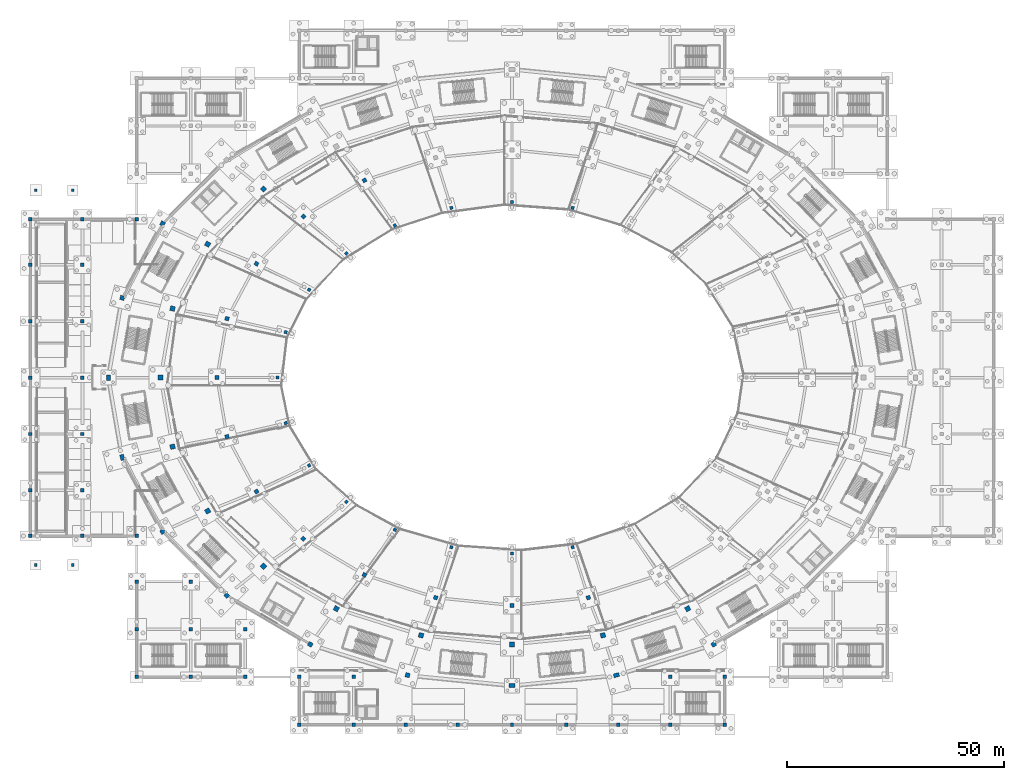
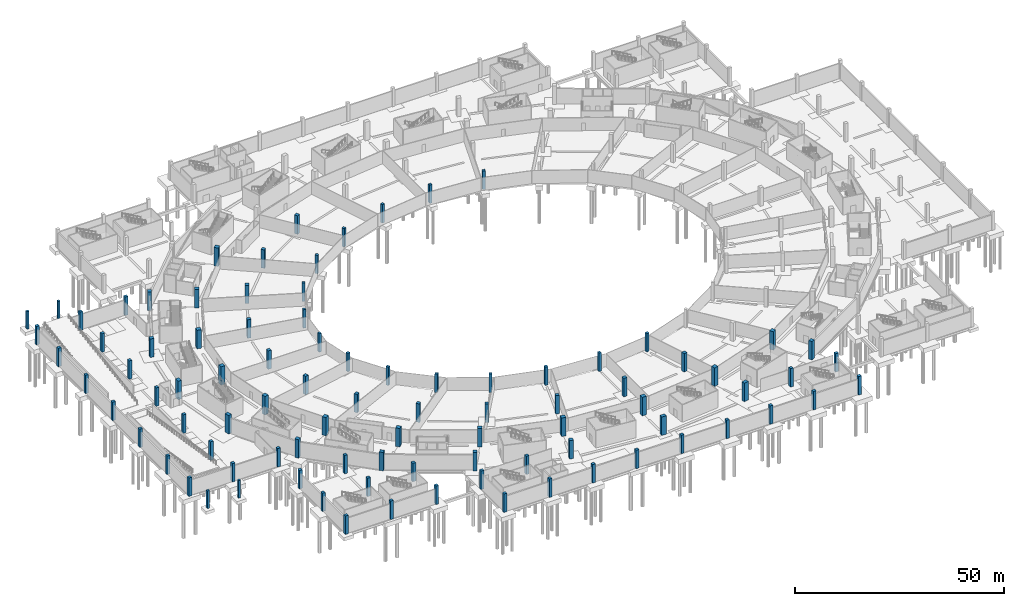
# One storey, part 12 of 74: 91 columns.
"""IFC4 building model written with IfcOpenShell, lengths in metres."""

from ifc_helpers import new_model, si_unit, direction, frame, origin, origin_2d, place, context, subcontext, project, spatial, rectangle, extrude, material, material_profile, profile_set, type_object, element, save


model = new_model("IFC4")

# Units and contexts
model_context = context("Model", 3, precision=1e-05, world=origin(), true_north=direction((0.0, 1.0)))
body_context = subcontext(model_context, "Body", "Model", "MODEL_VIEW")
ifc_project = project(units=[si_unit("LENGTHUNIT", "METRE"), si_unit("AREAUNIT", "SQUARE_METRE"), si_unit("VOLUMEUNIT", "CUBIC_METRE"), si_unit("PLANEANGLEUNIT", "RADIAN"), si_unit("MASSUNIT", "GRAM", prefix="KILO")], contexts=[model_context])

# Site, building, storey
site_placement = place(None, origin())
site = spatial("IfcSite", under=ifc_project, at=site_placement, CompositionType="ELEMENT")
building_placement = place(site_placement, origin())
building = spatial("IfcBuilding", under=site, at=building_placement, Name="Zlatoyarsky Gate Stadium", CompositionType="ELEMENT")
storey_placement = place(building_placement, frame((0.0, 0.0, -5.39990234375)))
storey = spatial("IfcBuildingStorey", under=building, at=storey_placement, Name="B1", CompositionType="ELEMENT", Elevation=-5.39990234375)

# Columns
ifc_material = material(Name="Concrete C40/50", Category="concrete")
ifc_material_profile_1 = material_profile(ifc_material, rectangle(XDim=0.89990234375, YDim=1.300048828125, at=origin_2d()), Name="RC PIER 900X1300")
ifc_profile_set_1 = profile_set([ifc_material_profile_1], Name="Concrete C40/50")
column_type_1 = type_object("IfcColumnType", Name="CONCRETE BOWL PIER 900X1300", PredefinedType="COLUMN", material=ifc_profile_set_1)
for number, where, z_axis, x_axis, name in (
    (1, (18.0, 80.0, 0.0), (0.0, 0.0, 1.0), (-1.0, 0.0, 0.0), "Column RC-P130 RC-12 on B1"),
    (2, (21.1689453125, 61.623779296875, 0.0), (0.0, 0.0, 1.0), (-0.965925826289, -0.258819045103, 0.0), "Column RC-P130 RC-13 on B1"),
    (3, (111.0, 9.0, 0.0), (0.0, 0.0, 1.0), (0.0, -1.0, 0.0), "Column RC-P130 RC-18 on B1"),
    (4, (135.0703125, 11.419189453125, 0.0), (0.0, 0.0, 1.0), (0.258819045103, -0.965925826289, 0.0), "Column RC-P130 RC-19 on B1"),
):
    element("IfcColumn", number, at=place(storey_placement, frame(where, z_axis=z_axis, x_axis=x_axis)), inside=storey, type_object=column_type_1, Name=name, PredefinedType="COLUMN", context=body_context, shape_type="SweptSolid", body=[
        extrude(rectangle(XDim=0.89990234375, YDim=1.300048828125, at=origin_2d()), origin(), (0.0, 0.0, 1.0), 5.39990234375),
    ])
ifc_material_profile_2 = material_profile(ifc_material, rectangle(XDim=1.0, YDim=1.0, at=origin_2d()), Name="RC COL 1000X1000")
ifc_profile_set_2 = profile_set([ifc_material_profile_2], Name="Concrete C40/50")
column_type_2 = type_object("IfcColumnType", Name="CONCRETE COLUMN 1000X1000", PredefinedType="COLUMN", material=ifc_profile_set_2)
for number, where, z_axis, x_axis, name in (
    (5, (30.459716796875, 115.5, 0.0), (0.0, 0.0, 1.0), (-0.866025403784, 0.5, 0.0), "Column RC-C100 RC-10 on B1"),
    (6, (21.1689453125, 98.376220703125, 0.0), (0.0, 0.0, 1.0), (-0.965925826289, 0.258819045103, 0.0), "Column RC-C100 RC-11 on B1"),
    (7, (30.459716796875, 44.5, 0.0), (0.0, 0.0, 1.0), (-0.866025403784, -0.5, 0.0), "Column RC-C100 RC-14 on B1"),
    (8, (45.239013671875, 29.79541015625, 0.0), (0.0, 0.0, 1.0), (-0.707106781187, -0.707106781187, 0.0), "Column RC-C100 RC-15 on B1"),
    (9, (64.5, 18.51220703125, 0.0), (0.0, 0.0, 1.0), (-0.5, -0.866025403784, 0.0), "Column RC-C100 RC-16 on B1"),
    (10, (86.9296875, 11.419189453125, 0.0), (0.0, 0.0, 1.0), (-0.258819045103, -0.965925826289, 0.0), "Column RC-C100 RC-17 on B1"),
    (11, (157.5, 18.51220703125, 0.0), (0.0, 0.0, 1.0), (0.5, -0.866025403784, 0.0), "Column RC-C100 RC-20 on B1"),
):
    element("IfcColumn", number, at=place(storey_placement, frame(where, z_axis=z_axis, x_axis=x_axis)), inside=storey, type_object=column_type_2, Name=name, PredefinedType="COLUMN", context=body_context, shape_type="SweptSolid", body=[
        extrude(rectangle(XDim=1.0, YDim=1.0, at=origin_2d()), origin(), (0.0, 0.0, 1.0), 5.39990234375),
    ])
ifc_material_profile_3 = material_profile(ifc_material, rectangle(XDim=1.10009765625, YDim=1.10009765625, at=origin_2d()), Name="RC COL 1100X1100")
ifc_profile_set_3 = profile_set([ifc_material_profile_3], Name="Concrete C40/50")
column_type_3 = type_object("IfcColumnType", Name="CONCRETE COLUMN 1100X1100", PredefinedType="COLUMN", material=ifc_profile_set_3)
for number, where, z_axis, x_axis, name in (
    (12, (53.724365234375, 123.487060546875, 0.0), (0.0, 0.0, 1.0), (-0.707106781187, 0.707106781187, 0.0), "Column RC-C110 RB-09 on B1"),
    (13, (40.851806640625, 110.75, 0.0), (0.0, 0.0, 1.0), (-0.866025403784, 0.5, 0.0), "Column RC-C110 RB-10 on B1"),
    (14, (32.760009765625, 95.91748046875, 0.0), (0.0, 0.0, 1.0), (-0.965925826289, 0.258819045103, 0.0), "Column RC-C110 RB-11 on B1"),
    (15, (30.0, 80.0, 0.0), (0.0, 0.0, 1.0), (-1.0, 0.0, 0.0), "Column RC-C110 RB-12 on B1"),
    (16, (32.760009765625, 64.08251953125, 0.0), (0.0, 0.0, 1.0), (-0.965925826289, -0.258819045103, 0.0), "Column RC-C110 RB-13 on B1"),
    (17, (40.851806640625, 49.25, 0.0), (0.0, 0.0, 1.0), (-0.866025403784, -0.5, 0.0), "Column RC-C110 RB-14 on B1"),
    (18, (53.724365234375, 36.512939453125, 0.0), (0.0, 0.0, 1.0), (-0.707106781187, -0.707106781187, 0.0), "Column RC-C110 RB-15 on B1"),
    (19, (70.5, 26.739501953125, 0.0), (0.0, 0.0, 1.0), (-0.5, -0.866025403784, 0.0), "Column RC-C110 RB-16 on B1"),
    (20, (90.03564453125, 20.595703125, 0.0), (0.0, 0.0, 1.0), (-0.258819045103, -0.965925826289, 0.0), "Column RC-C110 RB-17 on B1"),
    (21, (111.0, 18.5, 0.0), (0.0, 0.0, 1.0), (0.0, -1.0, 0.0), "Column RC-C110 RB-18 on B1"),
    (22, (131.96435546875, 20.595703125, 0.0), (0.0, 0.0, 1.0), (0.258819045103, -0.965925826289, 0.0), "Column RC-C110 RB-19 on B1"),
    (23, (151.5, 26.739501953125, 0.0), (0.0, 0.0, 1.0), (0.5, -0.866025403784, 0.0), "Column RC-C110 RB-20 on B1"),
):
    element("IfcColumn", number, at=place(storey_placement, frame(where, z_axis=z_axis, x_axis=x_axis)), inside=storey, type_object=column_type_3, Name=name, PredefinedType="COLUMN", context=body_context, shape_type="SweptSolid", body=[
        extrude(rectangle(XDim=1.10009765625, YDim=1.10009765625, at=origin_2d()), origin(), (0.0, 0.0, 1.0), 5.39990234375),
    ])
ifc_material_profile_4 = material_profile(ifc_material, rectangle(XDim=0.60009765625, YDim=0.60009765625, at=origin_2d()), Name="RC COL 600X600")
ifc_profile_set_4 = profile_set([ifc_material_profile_4], Name="Concrete C40/50")
column_type_4 = type_object("IfcColumnType", Name="CONCRETE COLUMN 600X600", PredefinedType="COLUMN", material=ifc_profile_set_4)
for number, where, z_axis, x_axis, name in (
    (24, (9.800048828125, 123.199951171875, 0.0), (0.0, 0.0, 1.0), (1.0, 0.0, 0.0), "Column RC-C60 APR-N3 on B1"),
    (25, (1.199951171875, 123.199951171875, 0.0), (0.0, 0.0, 1.0), (1.0, 0.0, 0.0), "Column RC-C60 APR-N4 on B1"),
    (26, (1.199951171875, 36.800048828125, 0.0), (0.0, 0.0, 1.0), (1.0, 0.0, 0.0), "Column RC-C60 APR-S1 on B1"),
    (27, (9.800048828125, 36.800048828125, 0.0), (0.0, 0.0, 1.0), (1.0, 0.0, 0.0), "Column RC-C60 APR-S2 on B1"),
):
    element("IfcColumn", number, at=place(storey_placement, frame(where, z_axis=z_axis, x_axis=x_axis)), inside=storey, type_object=column_type_4, Name=name, PredefinedType="COLUMN", context=body_context, shape_type="SweptSolid", body=[
        extrude(rectangle(XDim=0.60009765625, YDim=0.60009765625, at=origin_2d()), origin(), (0.0, 0.0, 1.0), 5.159912109375),
    ])
ifc_material_profile_5 = material_profile(ifc_material, rectangle(XDim=0.699951171875, YDim=0.699951171875, at=origin_2d()), Name="RC COL 700X700")
ifc_profile_set_5 = profile_set([ifc_material_profile_5], Name="Concrete C40/50")
column_type_5 = type_object("IfcColumnType", Name="CONCRETE COLUMN 700X700", PredefinedType="COLUMN", material=ifc_profile_set_5)
for number, where, z_axis, x_axis, name in (
    (28, (124.976318359375, 119.1201171875, 0.0), (0.0, 0.0, 1.0), (0.258819045103, 0.965925826289, 0.0), "Column RC-C70 R0-05 on B1"),
    (29, (111.0, 120.5, 0.0), (0.0, 0.0, 1.0), (0.0, 1.0, 0.0), "Column RC-C70 R0-06 on B1"),
    (30, (97.023681640625, 119.1201171875, 0.0), (0.0, 0.0, 1.0), (-0.258819045103, 0.965925826289, 0.0), "Column RC-C70 R0-07 on B1"),
    (31, (84.0, 115.073974609375, 0.0), (0.0, 0.0, 1.0), (-0.5, 0.866025403784, 0.0), "Column RC-C70 R0-08 on B1"),
    (32, (72.816162109375, 108.6376953125, 0.0), (0.0, 0.0, 1.0), (-0.707106781187, 0.707106781187, 0.0), "Column RC-C70 R0-09 on B1"),
    (33, (64.234619140625, 100.25, 0.0), (0.0, 0.0, 1.0), (-0.866025403784, 0.5, 0.0), "Column RC-C70 R0-10 on B1"),
    (34, (58.840087890625, 90.482177734375, 0.0), (0.0, 0.0, 1.0), (-0.965925826289, 0.258819045103, 0.0), "Column RC-C70 R0-11 on B1"),
    (35, (57.0, 80.0, 0.0), (0.0, 0.0, 1.0), (-1.0, 0.0, 0.0), "Column RC-C70 R0-12 on B1"),
    (36, (58.840087890625, 69.517822265625, 0.0), (0.0, 0.0, 1.0), (-0.965925826289, -0.258819045103, 0.0), "Column RC-C70 R0-13 on B1"),
    (37, (64.234619140625, 59.75, 0.0), (0.0, 0.0, 1.0), (-0.866025403784, -0.5, 0.0), "Column RC-C70 R0-14 on B1"),
    (38, (72.816162109375, 51.3623046875, 0.0), (0.0, 0.0, 1.0), (-0.707106781187, -0.707106781187, 0.0), "Column RC-C70 R0-15 on B1"),
    (39, (84.0, 44.926025390625, 0.0), (0.0, 0.0, 1.0), (-0.5, -0.866025403784, 0.0), "Column RC-C70 R0-16 on B1"),
    (40, (97.023681640625, 40.8798828125, 0.0), (0.0, 0.0, 1.0), (-0.258819045103, -0.965925826289, 0.0), "Column RC-C70 R0-17 on B1"),
    (41, (111.0, 39.5, 0.0), (0.0, 0.0, 1.0), (0.0, -1.0, 0.0), "Column RC-C70 R0-18 on B1"),
    (42, (124.976318359375, 40.8798828125, 0.0), (0.0, 0.0, 1.0), (0.258819045103, -0.965925826289, 0.0), "Column RC-C70 R0-19 on B1"),
):
    element("IfcColumn", number, at=place(storey_placement, frame(where, z_axis=z_axis, x_axis=x_axis)), inside=storey, type_object=column_type_5, Name=name, PredefinedType="COLUMN", context=body_context, shape_type="SweptSolid", body=[
        extrude(rectangle(XDim=0.699951171875, YDim=0.699951171875, at=origin_2d()), origin(), (0.0, 0.0, 1.0), 5.39990234375),
    ])
ifc_material_profile_6 = material_profile(ifc_material, rectangle(XDim=0.800048828125, YDim=0.800048828125, at=origin_2d()), Name="RC COL 800X800")
ifc_profile_set_6 = profile_set([ifc_material_profile_6], Name="Concrete C40/50")
column_type_6 = type_object("IfcColumnType", Name="CONCRETE COLUMN 800X800", PredefinedType="COLUMN", material=ifc_profile_set_6)
for number, where, z_axis, x_axis, name in (
    (43, (0.0, 43.5, 0.0), (0.0, 0.0, 1.0), (1.0, 0.0, 0.0), "Column RC-C80 WG-1-E on B1"),
    (44, (0.0, 54.0, 0.0), (0.0, 0.0, 1.0), (1.0, 0.0, 0.0), "Column RC-C80 WG-1-F on B1"),
    (45, (0.0, 67.0, 0.0), (0.0, 0.0, 1.0), (1.0, 0.0, 0.0), "Column RC-C80 WG-1-G on B1"),
    (46, (0.0, 80.0, 0.0), (0.0, 0.0, 1.0), (1.0, 0.0, 0.0), "Column RC-C80 WG-1-H on B1"),
    (47, (0.0, 93.0, 0.0), (0.0, 0.0, 1.0), (1.0, 0.0, 0.0), "Column RC-C80 WG-1-J on B1"),
    (48, (0.0, 106.0, 0.0), (0.0, 0.0, 1.0), (1.0, 0.0, 0.0), "Column RC-C80 WG-1-K on B1"),
    (49, (0.0, 116.5, 0.0), (0.0, 0.0, 1.0), (1.0, 0.0, 0.0), "Column RC-C80 WG-1-L on B1"),
    (50, (111.0, 0.0, 0.0), (0.0, 0.0, 1.0), (1.0, 0.0, 0.0), "Column RC-C80 WG-10-A on B1"),
    (51, (123.5, 0.0, 0.0), (0.0, 0.0, 1.0), (1.0, 0.0, 0.0), "Column RC-C80 WG-11-A on B1"),
    (52, (135.5, 0.0, 0.0), (0.0, 0.0, 1.0), (1.0, 0.0, 0.0), "Column RC-C80 WG-12-A on B1"),
    (53, (147.5, 0.0, 0.0), (0.0, 0.0, 1.0), (1.0, 0.0, 0.0), "Column RC-C80 WG-13-A on B1"),
    (54, (147.5, 11.0, 0.0), (0.0, 0.0, 1.0), (1.0, 0.0, 0.0), "Column RC-C80 WG-13-B on B1"),
    (55, (160.0, 0.0, 0.0), (0.0, 0.0, 1.0), (1.0, 0.0, 0.0), "Column RC-C80 WG-14-A on B1"),
    (56, (160.0, 11.0, 0.0), (0.0, 0.0, 1.0), (1.0, 0.0, 0.0), "Column RC-C80 WG-14-B on B1"),
    (57, (12.0, 43.5, 0.0), (0.0, 0.0, 1.0), (1.0, 0.0, 0.0), "Column RC-C80 WG-2-E on B1"),
    (58, (12.0, 54.0, 0.0), (0.0, 0.0, 1.0), (1.0, 0.0, 0.0), "Column RC-C80 WG-2-F on B1"),
    (59, (12.0, 67.0, 0.0), (0.0, 0.0, 1.0), (1.0, 0.0, 0.0), "Column RC-C80 WG-2-G on B1"),
    (60, (12.0, 80.0, 0.0), (0.0, 0.0, 1.0), (1.0, 0.0, 0.0), "Column RC-C80 WG-2-H on B1"),
    (61, (12.0, 93.0, 0.0), (0.0, 0.0, 1.0), (1.0, 0.0, 0.0), "Column RC-C80 WG-2-J on B1"),
    (62, (12.0, 106.0, 0.0), (0.0, 0.0, 1.0), (1.0, 0.0, 0.0), "Column RC-C80 WG-2-K on B1"),
    (63, (12.0, 116.5, 0.0), (0.0, 0.0, 1.0), (1.0, 0.0, 0.0), "Column RC-C80 WG-2-L on B1"),
    (64, (24.5, 11.0, 0.0), (0.0, 0.0, 1.0), (1.0, 0.0, 0.0), "Column RC-C80 WG-3-B on B1"),
    (65, (24.5, 22.0, 0.0), (0.0, 0.0, 1.0), (1.0, 0.0, 0.0), "Column RC-C80 WG-3-C on B1"),
    (66, (24.5, 33.0, 0.0), (0.0, 0.0, 1.0), (1.0, 0.0, 0.0), "Column RC-C80 WG-3-D on B1"),
    (67, (24.5, 43.5, 0.0), (0.0, 0.0, 1.0), (1.0, 0.0, 0.0), "Column RC-C80 WG-3-E on B1"),
    (68, (24.5, 116.5, 0.0), (0.0, 0.0, 1.0), (1.0, 0.0, 0.0), "Column RC-C80 WG-3-L on B1"),
    (69, (37.0, 11.0, 0.0), (0.0, 0.0, 1.0), (1.0, 0.0, 0.0), "Column RC-C80 WG-4-B on B1"),
    (70, (37.0, 22.0, 0.0), (0.0, 0.0, 1.0), (1.0, 0.0, 0.0), "Column RC-C80 WG-4-C on B1"),
    (71, (37.0, 33.0, 0.0), (0.0, 0.0, 1.0), (1.0, 0.0, 0.0), "Column RC-C80 WG-4-D on B1"),
    (72, (49.5, 11.0, 0.0), (0.0, 0.0, 1.0), (1.0, 0.0, 0.0), "Column RC-C80 WG-5-B on B1"),
    (73, (49.5, 22.0, 0.0), (0.0, 0.0, 1.0), (1.0, 0.0, 0.0), "Column RC-C80 WG-5-C on B1"),
    (74, (62.0, 0.0, 0.0), (0.0, 0.0, 1.0), (1.0, 0.0, 0.0), "Column RC-C80 WG-6-A on B1"),
    (75, (62.0, 11.0, 0.0), (0.0, 0.0, 1.0), (1.0, 0.0, 0.0), "Column RC-C80 WG-6-B on B1"),
    (76, (74.5, 0.0, 0.0), (0.0, 0.0, 1.0), (1.0, 0.0, 0.0), "Column RC-C80 WG-7-A on B1"),
    (77, (74.5, 11.0, 0.0), (0.0, 0.0, 1.0), (1.0, 0.0, 0.0), "Column RC-C80 WG-7-B on B1"),
    (78, (86.5, 0.0, 0.0), (0.0, 0.0, 1.0), (1.0, 0.0, 0.0), "Column RC-C80 WG-8-A on B1"),
    (79, (98.5, 0.0, 0.0), (0.0, 0.0, 1.0), (1.0, 0.0, 0.0), "Column RC-C80 WG-9-A on B1"),
):
    element("IfcColumn", number, at=place(storey_placement, frame(where, z_axis=z_axis, x_axis=x_axis)), inside=storey, type_object=column_type_6, Name=name, PredefinedType="COLUMN", context=body_context, shape_type="SweptSolid", body=[
        extrude(rectangle(XDim=0.800048828125, YDim=0.800048828125, at=origin_2d()), origin(), (0.0, 0.0, 1.0), 5.39990234375),
    ])
ifc_material_profile_7 = material_profile(ifc_material, rectangle(XDim=0.89990234375, YDim=0.89990234375, at=origin_2d()), Name="RC COL 900X900")
ifc_profile_set_7 = profile_set([ifc_material_profile_7], Name="Concrete C40/50")
column_type_7 = type_object("IfcColumnType", Name="CONCRETE COLUMN 900X900", PredefinedType="COLUMN", material=ifc_profile_set_7)
for number, where, z_axis, x_axis, name in (
    (80, (77.0, 125.46630859375, 0.0), (0.0, 0.0, 1.0), (-0.5, 0.866025403784, 0.0), "Column RC-C90 RA-08 on B1"),
    (81, (62.916748046875, 117.123046875, 0.0), (0.0, 0.0, 1.0), (-0.707106781187, 0.707106781187, 0.0), "Column RC-C90 RA-09 on B1"),
    (82, (52.1103515625, 106.25, 0.0), (0.0, 0.0, 1.0), (-0.866025403784, 0.5, 0.0), "Column RC-C90 RA-10 on B1"),
    (83, (45.31689453125, 93.587890625, 0.0), (0.0, 0.0, 1.0), (-0.965925826289, 0.258819045103, 0.0), "Column RC-C90 RA-11 on B1"),
    (84, (43.0, 80.0, 0.0), (0.0, 0.0, 1.0), (-1.0, 0.0, 0.0), "Column RC-C90 RA-12 on B1"),
    (85, (45.31689453125, 66.412109375, 0.0), (0.0, 0.0, 1.0), (-0.965925826289, -0.258819045103, 0.0), "Column RC-C90 RA-13 on B1"),
    (86, (52.1103515625, 53.75, 0.0), (0.0, 0.0, 1.0), (-0.866025403784, -0.5, 0.0), "Column RC-C90 RA-14 on B1"),
    (87, (62.916748046875, 42.876953125, 0.0), (0.0, 0.0, 1.0), (-0.707106781187, -0.707106781187, 0.0), "Column RC-C90 RA-15 on B1"),
    (88, (77.0, 34.53369140625, 0.0), (0.0, 0.0, 1.0), (-0.5, -0.866025403784, 0.0), "Column RC-C90 RA-16 on B1"),
    (89, (93.400390625, 29.288818359375, 0.0), (0.0, 0.0, 1.0), (-0.258819045103, -0.965925826289, 0.0), "Column RC-C90 RA-17 on B1"),
    (90, (111.0, 27.5, 0.0), (0.0, 0.0, 1.0), (0.0, -1.0, 0.0), "Column RC-C90 RA-18 on B1"),
    (91, (128.599609375, 29.288818359375, 0.0), (0.0, 0.0, 1.0), (0.258819045103, -0.965925826289, 0.0), "Column RC-C90 RA-19 on B1"),
):
    element("IfcColumn", number, at=place(storey_placement, frame(where, z_axis=z_axis, x_axis=x_axis)), inside=storey, type_object=column_type_7, Name=name, PredefinedType="COLUMN", context=body_context, shape_type="SweptSolid", body=[
        extrude(rectangle(XDim=0.89990234375, YDim=0.89990234375, at=origin_2d()), origin(), (0.0, 0.0, 1.0), 5.39990234375),
    ])

save(model, "model.ifc")
